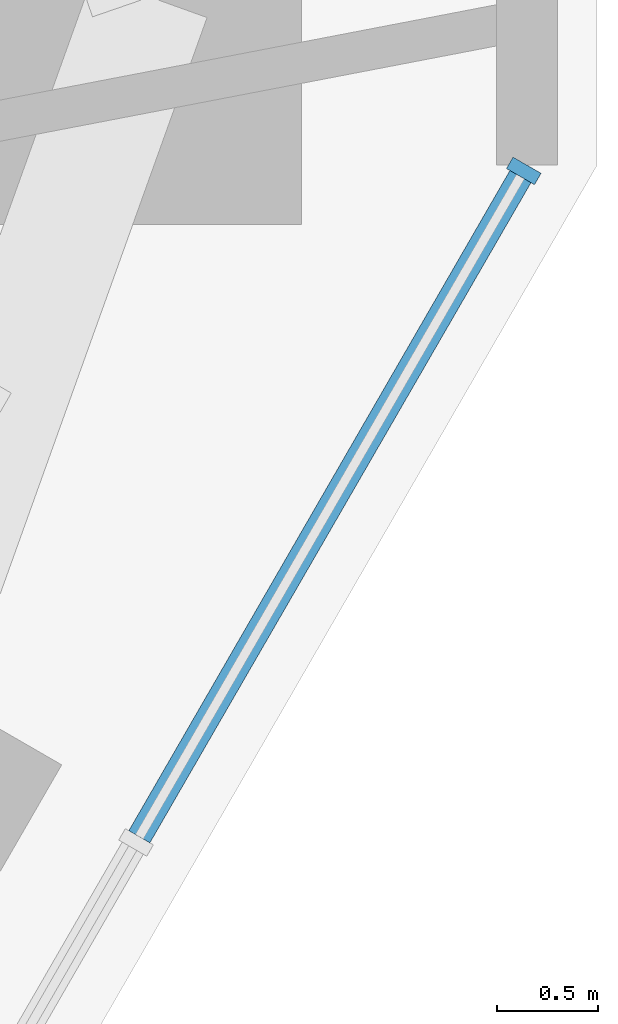
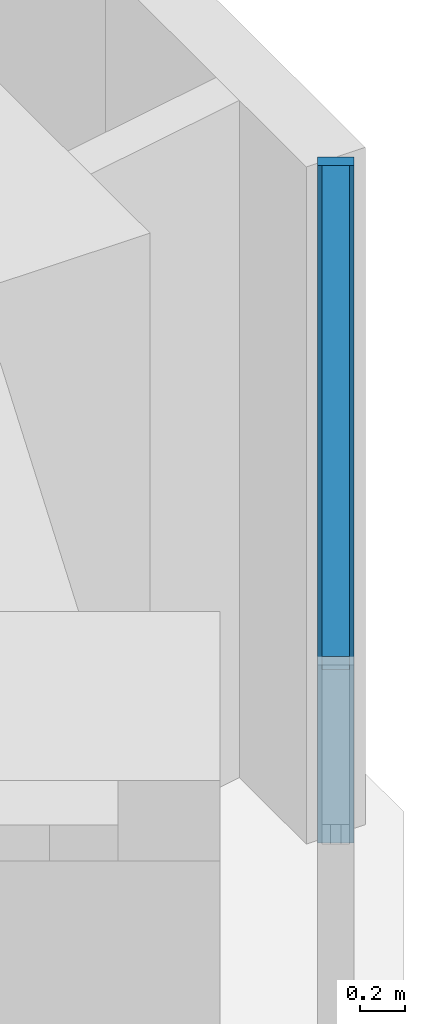
# One storey, part 6 of 17: 2 members, 1 element without a shape of its own.
"""IFC4 building model written with IfcOpenShell, lengths in metres."""

from ifc_helpers import new_model, si_unit, direction, frame, origin, origin_2d, place, context, subcontext, project, spatial, rectangle, extrude, material, material_profile, profile_set, type_object, element, aggregate, save


model = new_model("IFC4")

# Units and contexts
model_context = context("Model", 3, precision=1e-05, world=origin(), true_north=direction((0.0, 1.0)))
body_context = subcontext(model_context, "Body", "Model", "MODEL_VIEW")
ifc_project = project(units=[si_unit("LENGTHUNIT", "METRE"), si_unit("AREAUNIT", "SQUARE_METRE"), si_unit("VOLUMEUNIT", "CUBIC_METRE"), si_unit("PLANEANGLEUNIT", "RADIAN"), si_unit("MASSUNIT", "GRAM", prefix="KILO")], contexts=[model_context])

# Site, building, storey
site_placement = place(None, origin())
site = spatial("IfcSite", under=ifc_project, at=site_placement, CompositionType="ELEMENT")
building_placement = place(site_placement, origin())
building = spatial("IfcBuilding", under=site, at=building_placement, Name="Sandreach Pilgrim Tower", CompositionType="ELEMENT")
storey_placement = place(building_placement, frame((0.0, 0.0, 213.60009765625)))
storey = spatial("IfcBuildingStorey", under=building, at=storey_placement, Name="L53", CompositionType="ELEMENT", Elevation=213.60009765625)

# Curtain wall, members
ifc_material_1 = material(Name="Aluminium framed curtain wall", Category="aluminium")
curtain_wall_type = type_object("IfcCurtainWallType", Name="Upper hotel tower curtain wall", PredefinedType="NOTDEFINED", material=ifc_material_1)
curtain_wall_placement = place(storey_placement, origin())
curtain_wall = element("IfcCurtainWall", 1, at=curtain_wall_placement, inside=storey, type_object=curtain_wall_type, Name="CW-3 L53 SE", PredefinedType="NOTDEFINED")
ifc_material_2 = material(Name="Aluminium extrusion", Category="aluminium")
ifc_material_profile_1 = material_profile(ifc_material_2, rectangle(XDim=0.06494140625, YDim=0.159912109375, at=origin_2d()), Name="CW-3M 65X160")
ifc_profile_set_1 = profile_set([ifc_material_profile_1], Name="Aluminium extrusion")
member_type_1 = type_object("IfcMemberType", Name="CW-3 mullion", PredefinedType="MULLION", material=ifc_profile_set_1)
member_1_placement = place(storey_placement, frame((27.00390625, 4.451904296875, 0.0), z_axis=(0.0, 0.0, 1.0), x_axis=(-0.5, -0.866025403784, 0.0)))
member_1 = element("IfcMember", 2, at=member_1_placement, type_object=member_type_1, Name="CW-3 mullion 1", PredefinedType="MULLION", context=body_context, shape_type="SweptSolid", body=[
    extrude(rectangle(XDim=0.06494140625, YDim=0.159912109375, at=origin_2d()), origin(), (0.0, 0.0, 1.0), 3.639892578125),
])
ifc_material_3 = material(Name="Aluminium extrusion", Category="aluminium")
ifc_material_profile_2 = material_profile(ifc_material_3, rectangle(XDim=0.1201171875, YDim=0.070068359375, at=origin_2d()), Name="CW-3T 120X70")
ifc_profile_set_2 = profile_set([ifc_material_profile_2], Name="Aluminium extrusion")
member_type_2 = type_object("IfcMemberType", Name="CW-3 transom", PredefinedType="USERDEFINED", material=ifc_profile_set_2)
member_2_placement = place(storey_placement, frame((26.987548828125, 4.423828125, 3.60498046875), z_axis=(-0.499944992379, -0.86605716012, 0.0), x_axis=(0.86605716012, -0.499944992379, 0.0)))
member_2 = element("IfcMember", 3, at=member_2_placement, type_object=member_type_2, Name="CW-3 head transom 1", ObjectType="TRANSOM", PredefinedType="USERDEFINED", context=body_context, shape_type="SweptSolid", body=[
    extrude(rectangle(XDim=0.1201171875, YDim=0.070068359375, at=origin_2d()), origin(), (0.0, 0.0, 1.0), 3.76708984375),
])
aggregate(curtain_wall, [member_1, member_2])

save(model, "model.ifc")
